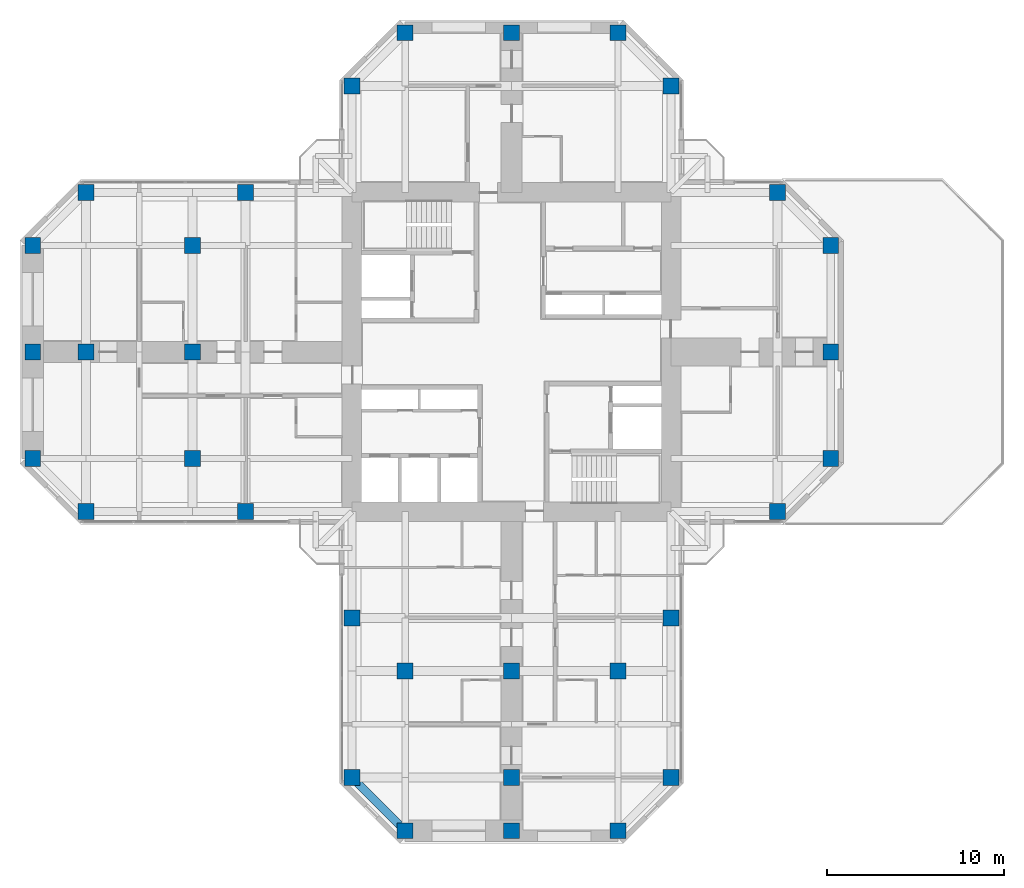
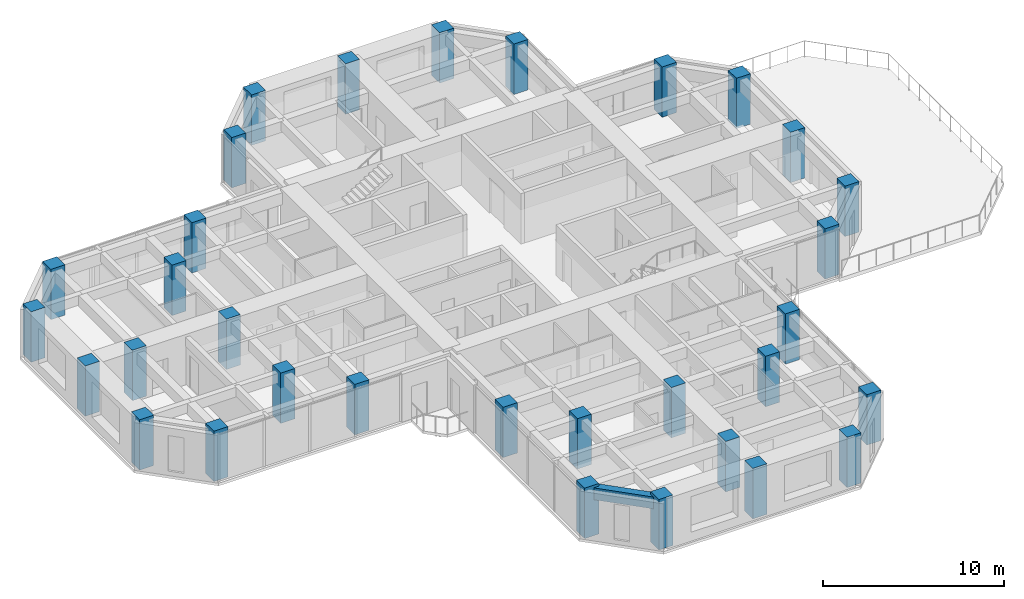
# One storey, part 1 of 14: 32 columns, 1 beam.
"""IFC4 building model written with IfcOpenShell, lengths in metres."""

from ifc_helpers import new_model, si_unit, direction, frame, origin, origin_2d, place, context, subcontext, project, spatial, rectangle, extrude, material, material_profile, profile_set, type_object, element, save


model = new_model("IFC4")

# Units and contexts
model_context = context("Model", 3, precision=1e-05, world=origin(), true_north=direction((0.0, 1.0)))
body_context = subcontext(model_context, "Body", "Model", "MODEL_VIEW")
ifc_project = project(units=[si_unit("LENGTHUNIT", "METRE"), si_unit("AREAUNIT", "SQUARE_METRE"), si_unit("VOLUMEUNIT", "CUBIC_METRE"), si_unit("PLANEANGLEUNIT", "RADIAN"), si_unit("MASSUNIT", "GRAM", prefix="KILO")], contexts=[model_context])

# Site, building, storey
site_placement = place(None, origin())
site = spatial("IfcSite", under=ifc_project, at=site_placement, CompositionType="ELEMENT")
building_placement = place(site_placement, origin())
building = spatial("IfcBuilding", under=site, at=building_placement, Name="Torre Cruceta", CompositionType="ELEMENT")
storey_placement = place(building_placement, frame((0.0, 0.0, 169.5)))
storey = spatial("IfcBuildingStorey", under=building, at=storey_placement, Name="L41", CompositionType="ELEMENT", Elevation=169.5)

# Columns
ifc_material_1 = material(Name="Concrete G60 (fck 60 MPa)", Category="concrete")
ifc_material_profile_1 = material_profile(ifc_material_1, rectangle(XDim=0.89990234375, YDim=0.89990234375, at=origin_2d()), Name="RC 900X900")
ifc_profile_set_1 = profile_set([ifc_material_profile_1], Name="Concrete G60 (fck 60 MPa)")
column_type = type_object("IfcColumnType", Name="COLUMN RC 900X900", PredefinedType="COLUMN", material=ifc_profile_set_1)
for number, where, z_axis, x_axis, name in (
    (1, (9.0, 15.0, 0.0), (0.0, 0.0, 1.0), (1.0, 0.0, 0.0), "C6 L41 N chamfer"),
    (2, (-9.0, 15.0, 0.0), (0.0, 0.0, 1.0), (1.0, 0.0, 0.0), "C6 L41 N chamfer"),
    (3, (6.0, 18.0, 0.0), (0.0, 0.0, 1.0), (1.0, 0.0, 0.0), "C6 L41 N tip"),
    (4, (0.0, 18.0, 0.0), (0.0, 0.0, 1.0), (1.0, 0.0, 0.0), "C6 L41 N tip"),
    (5, (-6.0, 18.0, 0.0), (0.0, 0.0, 1.0), (1.0, 0.0, 0.0), "C6 L41 N tip"),
    (6, (15.0, -9.0, 0.0), (0.0, 0.0, 1.0), (1.0, 0.0, 0.0), "C6 L41 E chamfer"),
    (7, (15.0, 9.0, 0.0), (0.0, 0.0, 1.0), (1.0, 0.0, 0.0), "C6 L41 E chamfer"),
    (8, (18.0, -6.0, 0.0), (0.0, 0.0, 1.0), (1.0, 0.0, 0.0), "C6 L41 E tip"),
    (9, (18.0, 0.0, 0.0), (0.0, 0.0, 1.0), (1.0, 0.0, 0.0), "C6 L41 E tip"),
    (10, (18.0, 6.0, 0.0), (0.0, 0.0, 1.0), (1.0, 0.0, 0.0), "C6 L41 E tip"),
    (11, (-9.0, -15.0, 0.0), (0.0, 0.0, 1.0), (1.0, 0.0, 0.0), "C6 L41 S side"),
    (12, (-9.0, -24.0, 0.0), (0.0, 0.0, 1.0), (1.0, 0.0, 0.0), "C6 L41 S chamfer"),
    (13, (9.0, -15.0, 0.0), (0.0, 0.0, 1.0), (1.0, 0.0, 0.0), "C6 L41 S side"),
    (14, (9.0, -24.0, 0.0), (0.0, 0.0, 1.0), (1.0, 0.0, 0.0), "C6 L41 S chamfer"),
    (15, (-6.0, -27.0, 0.0), (0.0, 0.0, 1.0), (1.0, 0.0, 0.0), "C6 L41 S tip"),
    (16, (0.0, -27.0, 0.0), (0.0, 0.0, 1.0), (1.0, 0.0, 0.0), "C6 L41 S tip"),
    (17, (6.0, -27.0, 0.0), (0.0, 0.0, 1.0), (1.0, 0.0, 0.0), "C6 L41 S tip"),
    (18, (-15.0, 9.0, 0.0), (0.0, 0.0, 1.0), (1.0, 0.0, 0.0), "C6 L41 W side"),
    (19, (-24.0, 9.0, 0.0), (0.0, 0.0, 1.0), (1.0, 0.0, 0.0), "C6 L41 W chamfer"),
    (20, (-15.0, -9.0, 0.0), (0.0, 0.0, 1.0), (1.0, 0.0, 0.0), "C6 L41 W side"),
    (21, (-24.0, -9.0, 0.0), (0.0, 0.0, 1.0), (1.0, 0.0, 0.0), "C6 L41 W chamfer"),
    (22, (-27.0, 6.0, 0.0), (0.0, 0.0, 1.0), (1.0, 0.0, 0.0), "C6 L41 W tip"),
    (23, (-27.0, 0.0, 0.0), (0.0, 0.0, 1.0), (1.0, 0.0, 0.0), "C6 L41 W tip"),
    (24, (-27.0, -6.0, 0.0), (0.0, 0.0, 1.0), (1.0, 0.0, 0.0), "C6 L41 W tip"),
    (25, (-6.0, -18.0, 0.0), (0.0, 0.0, 1.0), (1.0, 0.0, 0.0), "C6 L41 S interior"),
    (26, (0.0, -18.0, 0.0), (0.0, 0.0, 1.0), (1.0, 0.0, 0.0), "C6 L41 S interior"),
    (27, (6.0, -18.0, 0.0), (0.0, 0.0, 1.0), (1.0, 0.0, 0.0), "C6 L41 S interior"),
    (28, (0.0, -24.0, 0.0), (0.0, 0.0, 1.0), (1.0, 0.0, 0.0), "C6 L41 S interior"),
    (29, (-18.0, 6.0, 0.0), (0.0, 0.0, 1.0), (1.0, 0.0, 0.0), "C6 L41 W interior"),
    (30, (-18.0, 0.0, 0.0), (0.0, 0.0, 1.0), (1.0, 0.0, 0.0), "C6 L41 W interior"),
    (31, (-18.0, -6.0, 0.0), (0.0, 0.0, 1.0), (1.0, 0.0, 0.0), "C6 L41 W interior"),
    (32, (-24.0, 0.0, 0.0), (0.0, 0.0, 1.0), (1.0, 0.0, 0.0), "C6 L41 W interior"),
):
    element("IfcColumn", number, at=place(storey_placement, frame(where, z_axis=z_axis, x_axis=x_axis)), inside=storey, type_object=column_type, Name=name, PredefinedType="COLUMN", context=body_context, shape_type="SweptSolid", body=[
        extrude(rectangle(XDim=0.89990234375, YDim=0.89990234375, at=origin_2d()), origin(), (0.0, 0.0, 1.0), 3.39990234375),
    ])

# Beam
ifc_material_2 = material(Name="Concrete G60 (fck 60 MPa)", Category="concrete")
ifc_material_profile_2 = material_profile(ifc_material_2, rectangle(XDim=0.449951171875, YDim=0.800048828125, at=origin_2d()), Name="RC 450X800")
ifc_profile_set_2 = profile_set([ifc_material_profile_2], Name="Concrete G60 (fck 60 MPa)")
beam_type = type_object("IfcBeamType", Name="SPANDREL BEAM RC 450X800", PredefinedType="SPANDREL", material=ifc_profile_set_2)
beam_placement = place(storey_placement, frame((-9.0, -24.0, 2.820068359375), z_axis=(0.707106781187, -0.707106781187, 0.0), x_axis=(0.707106781187, 0.707106781187, 0.0)))
element("IfcBeam", 33, at=beam_placement, inside=storey, type_object=beam_type, Name="SB6 L41 S side- 5", PredefinedType="SPANDREL", context=body_context, shape_type="SweptSolid", body=[
    extrude(rectangle(XDim=0.449951171875, YDim=0.800048828125, at=origin_2d()), origin(), (0.0, 0.0, 1.0), 4.24267578125),
])

save(model, "model.ifc")
